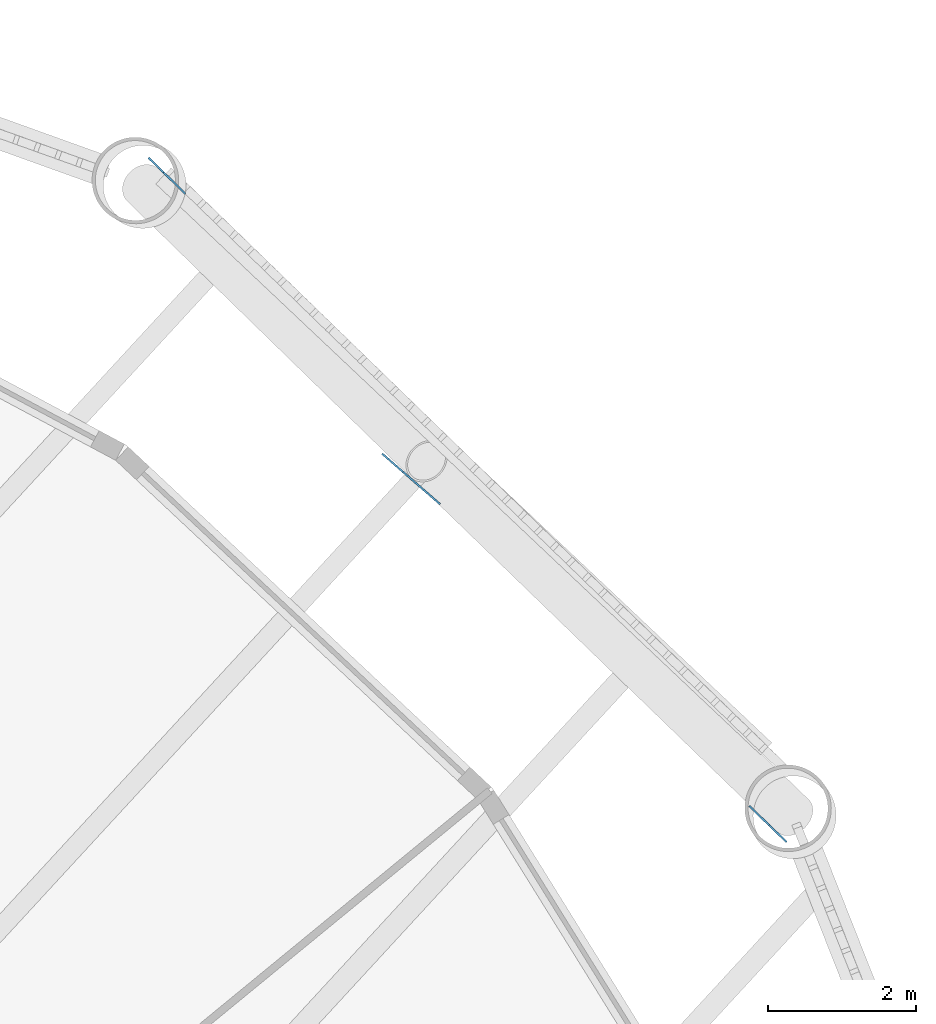
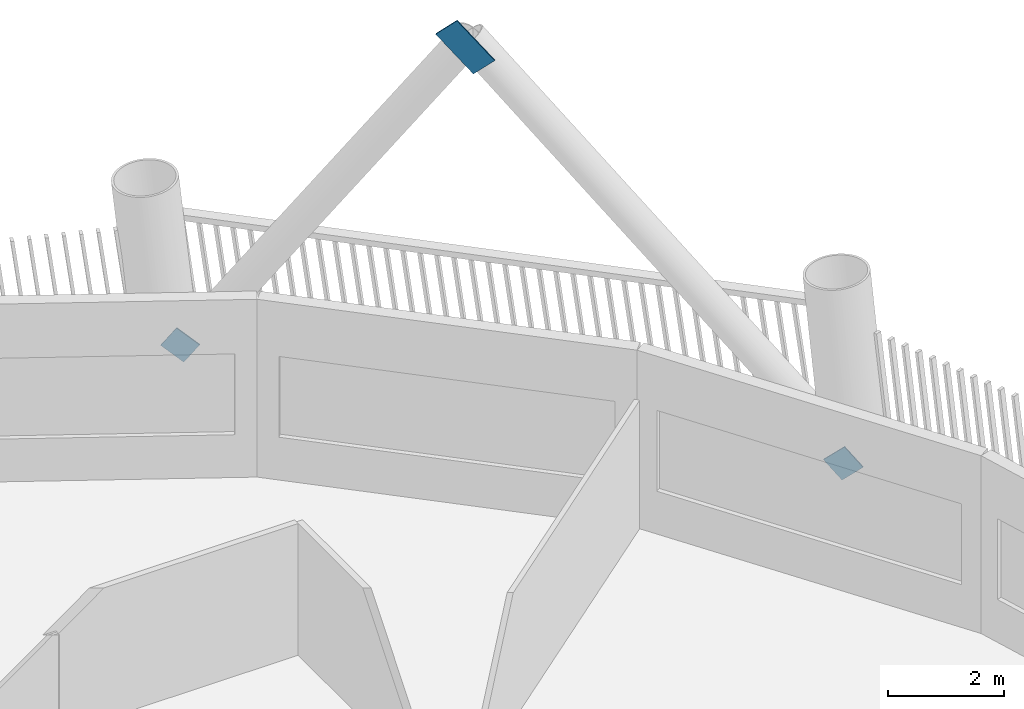
# One storey, part 13 of 24: 3 discrete accessories.
"""IFC4 building model written with IfcOpenShell, lengths in metres."""

import ifcopenshell
import ifcopenshell.guid

model = None  # the IFC model being written
_history = None  # IfcOwnerHistory: only IFC2X3 demands one
_inside = {}  # id of a spatial element -> (the spatial element, [elements in it])
_under = {}  # id of a project, library or spatial element -> (it, [spatial elements below it])
_declared = {}  # id of a project -> (the project, [libraries it declares])
_typed = {}  # id of a type object -> (the type object, [elements of that type])
_made_of = {}  # id of a material, layer set ... -> (it, [elements and type objects made of it])


def new_model(schema):
    """Start an empty IFC model of exactly this schema.

    Asked for "IFC4X3", IfcOpenShell would pick the latest addendum, in which some entities
    have other attributes; the version numbers below select the first issue.
    IFC2X3 requires an IfcOwnerHistory on every rooted entity: one is made here for all.
    """
    global model, _history
    if schema == "IFC4X3":
        model = ifcopenshell.file(schema_version=(4, 3, 0, 0))
    else:
        model = ifcopenshell.file(schema=schema)
    _inside.clear()
    _under.clear()
    _declared.clear()
    _typed.clear()
    _made_of.clear()
    _history = None
    if model.schema == "IFC2X3":
        org = make("IfcOrganization", Name="unknown")
        user = make(
            "IfcPersonAndOrganization",
            ThePerson=make("IfcPerson", FamilyName="unknown"),
            TheOrganization=org,
        )
        app = make(
            "IfcApplication",
            ApplicationDeveloper=org,
            Version="unknown",
            ApplicationFullName="unknown",
            ApplicationIdentifier="unknown",
        )
        _history = make(
            "IfcOwnerHistory",
            OwningUser=user,
            OwningApplication=app,
            ChangeAction="ADDED",
            CreationDate=0,
        )
    return model


def make(cls, **values):
    """One entity of the class cls with the attributes given. An attribute that is None is left unset."""
    return model.create_entity(
        cls, **{name: value for name, value in values.items() if value is not None}
    )


def rooted(cls, **values):
    """An entity with a GlobalId (a new one), such as an element, a storey or a relation."""
    return make(cls, GlobalId=ifcopenshell.guid.new(), OwnerHistory=_history, **values)


def si_unit(unit_type, name, prefix=None):
    """IfcSIUnit, for example si_unit("LENGTHUNIT", "METRE", prefix="MILLI")."""
    return make("IfcSIUnit", UnitType=unit_type, Prefix=prefix, Name=name)


def assignment(units):
    """IfcUnitAssignment: the units of a project."""
    return None if units is None else make("IfcUnitAssignment", Units=units)


def point(xyz):
    """IfcCartesianPoint."""
    return None if xyz is None else make("IfcCartesianPoint", Coordinates=xyz)


def direction(xyz):
    """IfcDirection."""
    return None if xyz is None else make("IfcDirection", DirectionRatios=xyz)


def frame(location, z_axis=None, x_axis=None):
    """IfcAxis2Placement3D, a coordinate frame: its origin and axes. An axis left out is left unset."""
    return make(
        "IfcAxis2Placement3D",
        Location=point(location),
        Axis=direction(z_axis),
        RefDirection=direction(x_axis),
    )


def frame_2d(location, x_axis=None):
    """IfcAxis2Placement2D, a coordinate frame in the plane: its origin and x axis."""
    return make(
        "IfcAxis2Placement2D", Location=point(location), RefDirection=direction(x_axis)
    )


def origin():
    """The frame at (0, 0, 0) with its axes left unset."""
    return frame((0.0, 0.0, 0.0))


def origin_2d():
    """The frame at (0, 0) in the plane with its x axis left unset."""
    return frame_2d((0.0, 0.0))


def place(relative_to, where):
    """IfcLocalPlacement: puts the frame where relative to a parent placement (None: the world)."""
    return make(
        "IfcLocalPlacement", PlacementRelTo=relative_to, RelativePlacement=where
    )


def context(
    kind, dimensions, precision=None, world=None, true_north=None, identifier=None
):
    """IfcGeometricRepresentationContext, for example the 3D "Model" context."""
    return make(
        "IfcGeometricRepresentationContext",
        ContextIdentifier=identifier,
        ContextType=kind,
        CoordinateSpaceDimension=dimensions,
        Precision=precision,
        WorldCoordinateSystem=world,
        TrueNorth=true_north,
    )


def subcontext(parent, identifier, kind, view, scale=None):
    """IfcGeometricRepresentationSubContext, for example "Body" below "Model"."""
    return make(
        "IfcGeometricRepresentationSubContext",
        ContextIdentifier=identifier,
        ContextType=kind,
        ParentContext=parent,
        TargetScale=scale,
        TargetView=view,
    )


def project(units=None, contexts=None):
    """IfcProject with its units and contexts."""
    return rooted(
        "IfcProject",
        Name="project",
        RepresentationContexts=contexts,
        UnitsInContext=assignment(units),
    )


def spatial(cls, under=None, at=None, **own):
    """A site, building, storey or space (cls), placed at a placement, below another one or the project."""
    s = rooted(cls, ObjectPlacement=at, **own)
    if under is not None:
        _under.setdefault(under.id(), (under, []))[1].append(s)
    return s


def profile(cls, at=None, kind="AREA", **sizes):
    """A parametric profile (cls). Its sizes go by their IFC names, for example OverallWidth=200.0."""
    return make(cls, ProfileType=kind, Position=at, **sizes)


def rectangle(**sizes):
    """IfcRectangleProfileDef."""
    return profile("IfcRectangleProfileDef", **sizes)


def extrude(swept, where, along, depth):
    """IfcExtrudedAreaSolid: the profile swept, set in the frame where, extruded along a direction by depth."""
    return make(
        "IfcExtrudedAreaSolid",
        SweptArea=swept,
        Position=where,
        ExtrudedDirection=direction(along),
        Depth=depth,
    )


def shape(context_of_items, identifier, shape_type, items):
    """IfcShapeRepresentation: the items that make up one representation, for example the "Body"."""
    return make(
        "IfcShapeRepresentation",
        ContextOfItems=context_of_items,
        RepresentationIdentifier=identifier,
        RepresentationType=shape_type,
        Items=items,
    )


def material(Name=None, Category=None):
    """IfcMaterial."""
    return make("IfcMaterial", Name=Name, Category=Category)


def material_profile(
    of_material, cross_section, Name=None, Category=None, Priority=None
):
    """IfcMaterialProfile: a cross section and its material."""
    return make(
        "IfcMaterialProfile",
        Name=Name,
        Material=of_material,
        Profile=cross_section,
        Priority=Priority,
        Category=Category,
    )


def profile_set(profiles, Name=None, composite=None):
    """IfcMaterialProfileSet."""
    return make(
        "IfcMaterialProfileSet",
        Name=Name,
        MaterialProfiles=profiles,
        CompositeProfile=composite,
    )


def made_of(thing, what):
    """Note that an element or type object is made of a material, layer set ...; save() writes the relation."""
    if what is not None:
        _made_of.setdefault(what.id(), (what, []))[1].append(thing)
    return thing


def type_object(cls, material=None, **own):
    """A type object (cls), such as IfcWallType, which elements share."""
    return made_of(rooted(cls, **own), material)


def element(
    cls,
    number,
    at=None,
    inside=None,
    cuts=None,
    type_object=None,
    material=None,
    context=None,
    identifier="Body",
    shape_type=None,
    held_by="IfcProductDefinitionShape",
    body=None,
    shapes=None,
    **own,
):
    """One element of the class cls, such as IfcWall. Its Tag is "e" and its number.

    at: its placement. inside: the storey or other place that contains it. cuts: it is an
    opening in that element (IfcRelVoidsElement). A single representation is given by context,
    identifier, shape_type and body (its items); several are given by shapes. held_by: the class
    of the entity that holds the representations. save() writes the other relations.
    """
    e = rooted(cls, Tag="e%d" % number, ObjectPlacement=at, **own)
    if body is not None:
        shapes = [shape(context, identifier, shape_type, body)]
    if shapes is not None:
        e.Representation = make(held_by, Representations=shapes)
    if inside is not None:
        _inside.setdefault(inside.id(), (inside, []))[1].append(e)
    if cuts is not None:
        rooted(
            "IfcRelVoidsElement", RelatingBuildingElement=cuts, RelatedOpeningElement=e
        )
    if type_object is not None:
        _typed.setdefault(type_object.id(), (type_object, []))[1].append(e)
    return made_of(e, material)


def aggregate(whole, parts):
    """IfcRelAggregates: a whole, such as a stair, and the parts it consists of."""
    return rooted("IfcRelAggregates", RelatingObject=whole, RelatedObjects=parts)


def save(model, path):
    """Write the relations noted so far, then the file.

    IfcRelAggregates (storeys below a building ...), IfcRelContainedInSpatialStructure (elements
    in a storey), IfcRelDefinesByType, IfcRelAssociatesMaterial and IfcRelDeclares: one each for
    every whole, place, type object, material and project.
    """
    for whole, parts in _under.values():
        aggregate(whole, parts)
    for where, things in _inside.values():
        rooted(
            "IfcRelContainedInSpatialStructure",
            RelatedElements=things,
            RelatingStructure=where,
        )
    for kind, things in _typed.values():
        rooted("IfcRelDefinesByType", RelatedObjects=things, RelatingType=kind)
    for what, things in _made_of.values():
        rooted("IfcRelAssociatesMaterial", RelatedObjects=things, RelatingMaterial=what)
    for by, libraries in _declared.values():
        rooted("IfcRelDeclares", RelatingContext=by, RelatedDefinitions=libraries)
    model.write(path)


model = new_model("IFC4")

# Units and contexts
model_context = context("Model", 3, precision=1e-05, world=origin(), true_north=direction((0.0, 1.0)))
body_context = subcontext(model_context, "Body", "Model", "MODEL_VIEW")
ifc_project = project(units=[si_unit("LENGTHUNIT", "METRE"), si_unit("AREAUNIT", "SQUARE_METRE"), si_unit("VOLUMEUNIT", "CUBIC_METRE"), si_unit("PLANEANGLEUNIT", "RADIAN"), si_unit("MASSUNIT", "GRAM", prefix="KILO")], contexts=[model_context])

# Site, building, storey
site_placement = place(None, origin())
site = spatial("IfcSite", under=ifc_project, at=site_placement, CompositionType="ELEMENT")
building_placement = place(site_placement, origin())
building = spatial("IfcBuilding", under=site, at=building_placement, Name="Tarsis Ring Headquarters", CompositionType="ELEMENT")
storey_placement = place(building_placement, frame((0.0, 0.0, 92.800048828125)))
storey = spatial("IfcBuildingStorey", under=building, at=storey_placement, Name="L20", CompositionType="ELEMENT", Elevation=92.800048828125)

# Discrete accessories
ifc_material = material(Name="Structural steel S355", Category="steel")
ifc_material_profile = material_profile(ifc_material, rectangle(XDim=0.02490234375, YDim=0.5, at=origin_2d()), Name="PL 25x500")
ifc_profile_set = profile_set([ifc_material_profile], Name="Structural steel S355")
discrete_accessory_type = type_object("IfcDiscreteAccessoryType", Name="Gusset plate Exo brace 25", PredefinedType="BRACKET", material=ifc_profile_set)
discrete_accessory_1_placement = place(storey_placement, frame((23.94580078125, 15.890380859375, 0.0), z_axis=(-0.476146537871, 0.460519164321, 0.749137219584), x_axis=(-0.695212627154, -0.718804147905, 0.0)))
element("IfcDiscreteAccessory", 1, at=discrete_accessory_1_placement, inside=storey, type_object=discrete_accessory_type, Name="Gusset plate GP5", PredefinedType="BRACKET", context=body_context, shape_type="SweptSolid", body=[
    extrude(rectangle(XDim=0.02490234375, YDim=0.5, at=origin_2d()), origin(), (0.0, 0.0, 1.0), 0.5),
])
discrete_accessory_2_placement = place(storey_placement, frame((19.2490234375, 20.456298828125, 7.42529296875), z_axis=(-0.499174965171, 0.435466082086, 0.749128590763), x_axis=(-0.657382108383, -0.753557405629, 0.0)))
element("IfcDiscreteAccessory", 2, at=discrete_accessory_2_placement, inside=storey, type_object=discrete_accessory_type, Name="Gusset plate GP5", PredefinedType="BRACKET", context=body_context, shape_type="SweptSolid", body=[
    extrude(rectangle(XDim=0.02490234375, YDim=0.5, at=origin_2d()), origin(), (0.0, 0.0, 1.0), 1.000244140625),
])
discrete_accessory_3_placement = place(storey_placement, frame((15.595458984375, 24.8740234375, 0.0), z_axis=(0.405186599797, -0.394934890646, 0.824530321756), x_axis=(0.697989550341, 0.716107944108, 0.0)))
element("IfcDiscreteAccessory", 3, at=discrete_accessory_3_placement, inside=storey, type_object=discrete_accessory_type, Name="Gusset plate GP5", PredefinedType="BRACKET", context=body_context, shape_type="SweptSolid", body=[
    extrude(rectangle(XDim=0.02490234375, YDim=0.5, at=origin_2d()), origin(), (0.0, 0.0, 1.0), 0.5),
])

save(model, "model.ifc")
